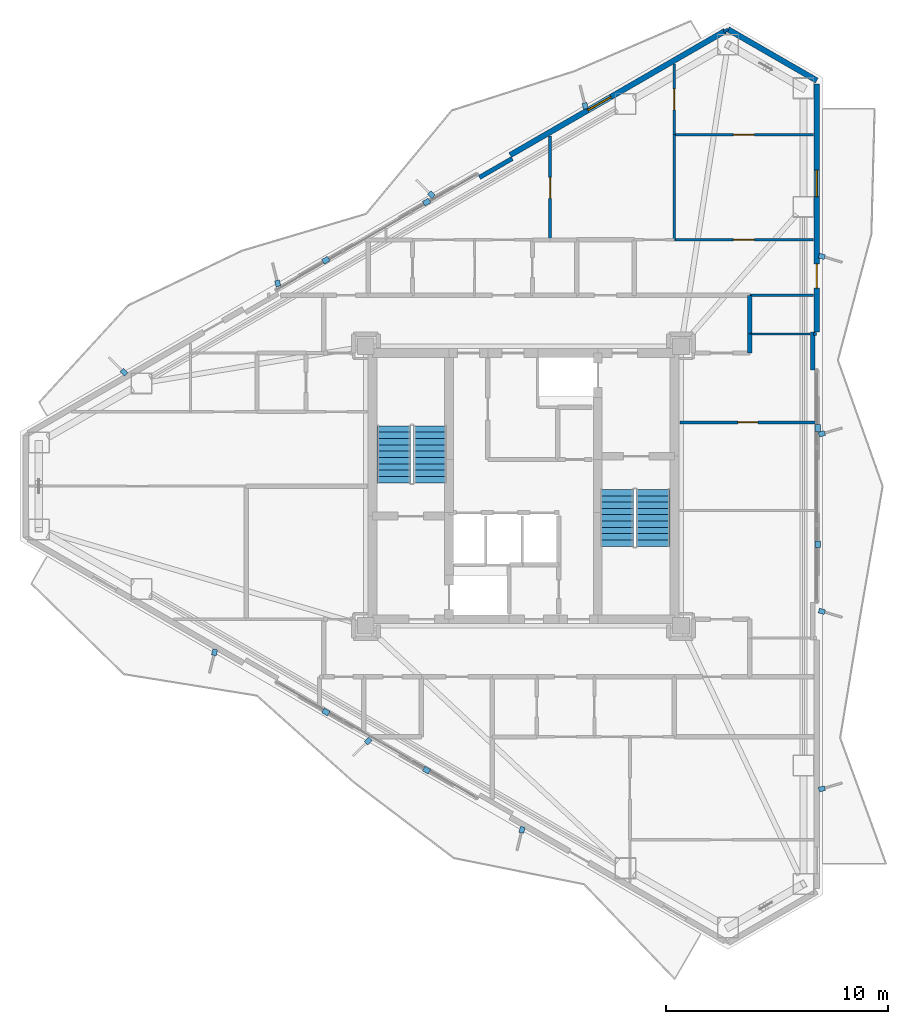
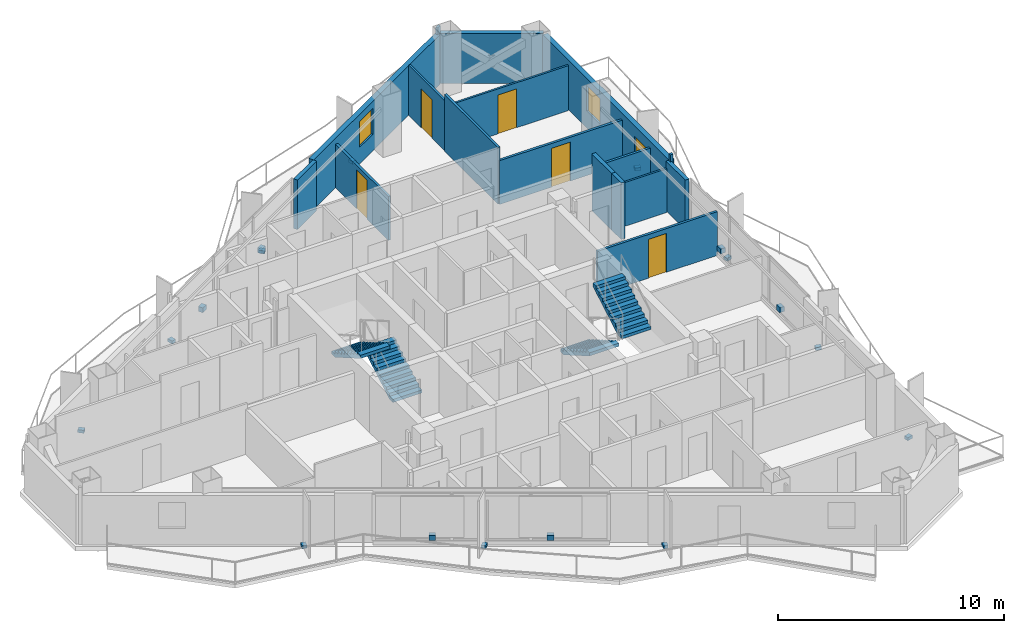
# One storey, part 16 of 18: 17 discrete accessories, 17 walls, 6 doors, 4 stair flights, 2 windows, 8 openings, 2 elements without a shape of their own.
"""IFC4 building model written with IfcOpenShell, lengths in metres."""

import ifcopenshell
import ifcopenshell.guid

model = None  # the IFC model being written
_history = None  # IfcOwnerHistory: only IFC2X3 demands one
_inside = {}  # id of a spatial element -> (the spatial element, [elements in it])
_under = {}  # id of a project, library or spatial element -> (it, [spatial elements below it])
_declared = {}  # id of a project -> (the project, [libraries it declares])
_typed = {}  # id of a type object -> (the type object, [elements of that type])
_made_of = {}  # id of a material, layer set ... -> (it, [elements and type objects made of it])


def new_model(schema):
    """Start an empty IFC model of exactly this schema.

    Asked for "IFC4X3", IfcOpenShell would pick the latest addendum, in which some entities
    have other attributes; the version numbers below select the first issue.
    IFC2X3 requires an IfcOwnerHistory on every rooted entity: one is made here for all.
    """
    global model, _history
    if schema == "IFC4X3":
        model = ifcopenshell.file(schema_version=(4, 3, 0, 0))
    else:
        model = ifcopenshell.file(schema=schema)
    _inside.clear()
    _under.clear()
    _declared.clear()
    _typed.clear()
    _made_of.clear()
    _history = None
    if model.schema == "IFC2X3":
        org = make("IfcOrganization", Name="unknown")
        user = make(
            "IfcPersonAndOrganization",
            ThePerson=make("IfcPerson", FamilyName="unknown"),
            TheOrganization=org,
        )
        app = make(
            "IfcApplication",
            ApplicationDeveloper=org,
            Version="unknown",
            ApplicationFullName="unknown",
            ApplicationIdentifier="unknown",
        )
        _history = make(
            "IfcOwnerHistory",
            OwningUser=user,
            OwningApplication=app,
            ChangeAction="ADDED",
            CreationDate=0,
        )
    return model


def make(cls, **values):
    """One entity of the class cls with the attributes given. An attribute that is None is left unset."""
    return model.create_entity(
        cls, **{name: value for name, value in values.items() if value is not None}
    )


def rooted(cls, **values):
    """An entity with a GlobalId (a new one), such as an element, a storey or a relation."""
    return make(cls, GlobalId=ifcopenshell.guid.new(), OwnerHistory=_history, **values)


def si_unit(unit_type, name, prefix=None):
    """IfcSIUnit, for example si_unit("LENGTHUNIT", "METRE", prefix="MILLI")."""
    return make("IfcSIUnit", UnitType=unit_type, Prefix=prefix, Name=name)


def assignment(units):
    """IfcUnitAssignment: the units of a project."""
    return None if units is None else make("IfcUnitAssignment", Units=units)


def point(xyz):
    """IfcCartesianPoint."""
    return None if xyz is None else make("IfcCartesianPoint", Coordinates=xyz)


def direction(xyz):
    """IfcDirection."""
    return None if xyz is None else make("IfcDirection", DirectionRatios=xyz)


def frame(location, z_axis=None, x_axis=None):
    """IfcAxis2Placement3D, a coordinate frame: its origin and axes. An axis left out is left unset."""
    return make(
        "IfcAxis2Placement3D",
        Location=point(location),
        Axis=direction(z_axis),
        RefDirection=direction(x_axis),
    )


def frame_2d(location, x_axis=None):
    """IfcAxis2Placement2D, a coordinate frame in the plane: its origin and x axis."""
    return make(
        "IfcAxis2Placement2D", Location=point(location), RefDirection=direction(x_axis)
    )


def origin():
    """The frame at (0, 0, 0) with its axes left unset."""
    return frame((0.0, 0.0, 0.0))


def origin_2d():
    """The frame at (0, 0) in the plane with its x axis left unset."""
    return frame_2d((0.0, 0.0))


def place(relative_to, where):
    """IfcLocalPlacement: puts the frame where relative to a parent placement (None: the world)."""
    return make(
        "IfcLocalPlacement", PlacementRelTo=relative_to, RelativePlacement=where
    )


def context(
    kind, dimensions, precision=None, world=None, true_north=None, identifier=None
):
    """IfcGeometricRepresentationContext, for example the 3D "Model" context."""
    return make(
        "IfcGeometricRepresentationContext",
        ContextIdentifier=identifier,
        ContextType=kind,
        CoordinateSpaceDimension=dimensions,
        Precision=precision,
        WorldCoordinateSystem=world,
        TrueNorth=true_north,
    )


def subcontext(parent, identifier, kind, view, scale=None):
    """IfcGeometricRepresentationSubContext, for example "Body" below "Model"."""
    return make(
        "IfcGeometricRepresentationSubContext",
        ContextIdentifier=identifier,
        ContextType=kind,
        ParentContext=parent,
        TargetScale=scale,
        TargetView=view,
    )


def project(units=None, contexts=None):
    """IfcProject with its units and contexts."""
    return rooted(
        "IfcProject",
        Name="project",
        RepresentationContexts=contexts,
        UnitsInContext=assignment(units),
    )


def spatial(cls, under=None, at=None, **own):
    """A site, building, storey or space (cls), placed at a placement, below another one or the project."""
    s = rooted(cls, ObjectPlacement=at, **own)
    if under is not None:
        _under.setdefault(under.id(), (under, []))[1].append(s)
    return s


def polyline(points):
    """IfcPolyline through the points."""
    return make("IfcPolyline", Points=[point(p) for p in points])


def profile(cls, at=None, kind="AREA", **sizes):
    """A parametric profile (cls). Its sizes go by their IFC names, for example OverallWidth=200.0."""
    return make(cls, ProfileType=kind, Position=at, **sizes)


def rectangle(**sizes):
    """IfcRectangleProfileDef."""
    return profile("IfcRectangleProfileDef", **sizes)


def outline(outer, holes=None, kind="AREA"):
    """IfcArbitraryClosedProfileDef: a profile drawn as a closed curve; with holes, ...WithVoids."""
    if holes is None:
        return make("IfcArbitraryClosedProfileDef", ProfileType=kind, OuterCurve=outer)
    return make(
        "IfcArbitraryProfileDefWithVoids",
        ProfileType=kind,
        OuterCurve=outer,
        InnerCurves=holes,
    )


def extrude(swept, where, along, depth):
    """IfcExtrudedAreaSolid: the profile swept, set in the frame where, extruded along a direction by depth."""
    return make(
        "IfcExtrudedAreaSolid",
        SweptArea=swept,
        Position=where,
        ExtrudedDirection=direction(along),
        Depth=depth,
    )


def shape(context_of_items, identifier, shape_type, items):
    """IfcShapeRepresentation: the items that make up one representation, for example the "Body"."""
    return make(
        "IfcShapeRepresentation",
        ContextOfItems=context_of_items,
        RepresentationIdentifier=identifier,
        RepresentationType=shape_type,
        Items=items,
    )


def material(Name=None, Category=None):
    """IfcMaterial."""
    return make("IfcMaterial", Name=Name, Category=Category)


def layer(
    of_material, thickness, ventilated=None, Name=None, Category=None, Priority=None
):
    """IfcMaterialLayer: one layer of a wall or slab, of a material (None: an air gap)."""
    return make(
        "IfcMaterialLayer",
        Material=of_material,
        LayerThickness=thickness,
        IsVentilated=ventilated,
        Name=Name,
        Category=Category,
        Priority=Priority,
    )


def layer_set(layers, Name=None):
    """IfcMaterialLayerSet."""
    return make("IfcMaterialLayerSet", MaterialLayers=layers, LayerSetName=Name)


def made_of(thing, what):
    """Note that an element or type object is made of a material, layer set ...; save() writes the relation."""
    if what is not None:
        _made_of.setdefault(what.id(), (what, []))[1].append(thing)
    return thing


def type_object(cls, material=None, **own):
    """A type object (cls), such as IfcWallType, which elements share."""
    return made_of(rooted(cls, **own), material)


def element(
    cls,
    number,
    at=None,
    inside=None,
    cuts=None,
    type_object=None,
    material=None,
    context=None,
    identifier="Body",
    shape_type=None,
    held_by="IfcProductDefinitionShape",
    body=None,
    shapes=None,
    **own,
):
    """One element of the class cls, such as IfcWall. Its Tag is "e" and its number.

    at: its placement. inside: the storey or other place that contains it. cuts: it is an
    opening in that element (IfcRelVoidsElement). A single representation is given by context,
    identifier, shape_type and body (its items); several are given by shapes. held_by: the class
    of the entity that holds the representations. save() writes the other relations.
    """
    e = rooted(cls, Tag="e%d" % number, ObjectPlacement=at, **own)
    if body is not None:
        shapes = [shape(context, identifier, shape_type, body)]
    if shapes is not None:
        e.Representation = make(held_by, Representations=shapes)
    if inside is not None:
        _inside.setdefault(inside.id(), (inside, []))[1].append(e)
    if cuts is not None:
        rooted(
            "IfcRelVoidsElement", RelatingBuildingElement=cuts, RelatedOpeningElement=e
        )
    if type_object is not None:
        _typed.setdefault(type_object.id(), (type_object, []))[1].append(e)
    return made_of(e, material)


def fill(opening, filler):
    """IfcRelFillsElement: the door or window that sits in an opening."""
    return rooted(
        "IfcRelFillsElement",
        RelatingOpeningElement=opening,
        RelatedBuildingElement=filler,
    )


def aggregate(whole, parts):
    """IfcRelAggregates: a whole, such as a stair, and the parts it consists of."""
    return rooted("IfcRelAggregates", RelatingObject=whole, RelatedObjects=parts)


def save(model, path):
    """Write the relations noted so far, then the file.

    IfcRelAggregates (storeys below a building ...), IfcRelContainedInSpatialStructure (elements
    in a storey), IfcRelDefinesByType, IfcRelAssociatesMaterial and IfcRelDeclares: one each for
    every whole, place, type object, material and project.
    """
    for whole, parts in _under.values():
        aggregate(whole, parts)
    for where, things in _inside.values():
        rooted(
            "IfcRelContainedInSpatialStructure",
            RelatedElements=things,
            RelatingStructure=where,
        )
    for kind, things in _typed.values():
        rooted("IfcRelDefinesByType", RelatedObjects=things, RelatingType=kind)
    for what, things in _made_of.values():
        rooted("IfcRelAssociatesMaterial", RelatedObjects=things, RelatingMaterial=what)
    for by, libraries in _declared.values():
        rooted("IfcRelDeclares", RelatingContext=by, RelatedDefinitions=libraries)
    model.write(path)


model = new_model("IFC4")

# Units and contexts
model_context = context("Model", 3, precision=1e-05, world=origin(), true_north=direction((0.0, 1.0)))
body_context = subcontext(model_context, "Body", "Model", "MODEL_VIEW")
ifc_project = project(units=[si_unit("LENGTHUNIT", "METRE"), si_unit("AREAUNIT", "SQUARE_METRE"), si_unit("VOLUMEUNIT", "CUBIC_METRE"), si_unit("PLANEANGLEUNIT", "RADIAN"), si_unit("MASSUNIT", "GRAM", prefix="KILO")], contexts=[model_context])

# Site, building, storey
site_placement = place(None, origin())
site = spatial("IfcSite", under=ifc_project, at=site_placement, CompositionType="ELEMENT")
building_placement = place(site_placement, origin())
building = spatial("IfcBuilding", under=site, at=building_placement, Name="Mersakhor Tower and Convention Hall", CompositionType="ELEMENT")
storey_placement = place(building_placement, frame((0.0, 0.0, 137.699951171875)))
storey = spatial("IfcBuildingStorey", under=building, at=storey_placement, Name="L38", CompositionType="ELEMENT", Elevation=137.699951171875)

# Wall
ifc_material_1 = material(Name="Precast concrete C40/50", Category="concrete")
ifc_layer_1 = layer(ifc_material_1, 0.25)
ifc_layer_set_1 = layer_set([ifc_layer_1], Name="Precast concrete C40/50")
wall_type_1 = type_object("IfcWallType", Name="WL-EXT-250", PredefinedType="SOLIDWALL", material=ifc_layer_set_1)
wall_1_placement = place(storey_placement, frame((38.220458984375, 47.337646484375, 0.0), z_axis=(0.0, 0.0, 1.0), x_axis=(0.866035021055, -0.499983342029, 0.0)))
element("IfcWall", 1, at=wall_1_placement, inside=storey, type_object=wall_type_1, Name="L38 Chamfer Braced Spandrel Wall C1", PredefinedType="SOLIDWALL", context=body_context, shape_type="SweptSolid", body=[
    extrude(rectangle(XDim=4.617431640625, YDim=0.25, at=frame_2d((2.30859375, 0.0))), origin(), (0.0, 0.0, 1.0), 2.679931640625),
])

# Wall, opening, window
wall_2_placement = place(storey_placement, frame((28.4033203125, 41.669677734375, 0.0), z_axis=(0.0, 0.0, 1.0), x_axis=(0.86602239209, 0.500005216371, 0.0)))
wall_2 = element("IfcWall", 2, at=wall_2_placement, inside=storey, type_object=wall_type_1, Name="L38 Exterior Facade Wall F1-B3", PredefinedType="SOLIDWALL", context=body_context, shape_type="SweptSolid", body=[
    extrude(rectangle(XDim=11.18603515625, YDim=0.25, at=frame_2d((5.593017578125, 0.0))), origin(), (0.0, 0.0, 1.0), 2.679931640625),
])
opening_1_placement = place(wall_2_placement, frame((4.0390625, 0.0, 0.89990234375)))
opening_1 = element("IfcOpeningElement", 3, at=opening_1_placement, cuts=wall_2, Name="Opening W-01", PredefinedType="OPENING", context=body_context, shape_type="SweptSolid", body=[
    extrude(rectangle(XDim=1.199951171875, YDim=1.39990234375, at=frame_2d((0.60009765625, 0.699951171875))), frame((0.0, 0.135009765625, 0.0), z_axis=(0.0, -1.0, 0.0), x_axis=(1.0, 0.0, 0.0)), (0.0, 0.0, 1.0), 0.27001953125),
])
ifc_material_2 = material(Name="Dark solar low-E glazed aluminium window", Category="aluminium")
window_type = type_object("IfcWindowType", Name="WN-RES-120x150", PartitioningType="SINGLE_PANEL", PredefinedType="WINDOW", material=ifc_material_2)
window_1_placement = place(opening_1_placement, origin())
window_1 = element("IfcWindow", 4, at=window_1_placement, inside=storey, type_object=window_type, Name="L38 Bedroom Facade Window F1-B3-1", OverallHeight=1.39990234375, OverallWidth=1.199951171875, PartitioningType="SINGLE_PANEL", PredefinedType="WINDOW", context=body_context, shape_type="SweptSolid", body=[
    extrude(rectangle(XDim=1.199951171875, YDim=1.39990234375, at=frame_2d((0.60009765625, 0.699951171875))), frame((0.0, 0.030029296875, 0.0), z_axis=(0.0, -1.0, 0.0), x_axis=(1.0, 0.0, 0.0)), (0.0, 0.0, 1.0), 0.06005859375),
])
fill(opening_1, window_1)

# Wall, openings, door, window
wall_3_placement = place(storey_placement, frame((42.21923828125, 44.87890625, 0.0), z_axis=(0.0, 0.0, 1.0), x_axis=(0.0, -1.0, 0.0)))
wall_3 = element("IfcWall", 5, at=wall_3_placement, inside=storey, type_object=wall_type_1, Name="L38 Exterior Facade Wall F2-B1", PredefinedType="SOLIDWALL", context=body_context, shape_type="SweptSolid", body=[
    extrude(rectangle(XDim=11.185791015625, YDim=0.25, at=frame_2d((5.5927734375, 0.0))), origin(), (0.0, 0.0, 1.0), 2.679931640625),
])
opening_2_placement = place(wall_3_placement, frame((8.10888671875, 0.0, 0.0)))
opening_2 = element("IfcOpeningElement", 6, at=opening_2_placement, cuts=wall_3, Name="Opening BD-02", PredefinedType="OPENING", context=body_context, shape_type="SweptSolid", body=[
    extrude(rectangle(XDim=1.10009765625, YDim=2.10009765625, at=frame_2d((0.550048828125, 1.050048828125))), frame((0.0, 0.135009765625, 0.0), z_axis=(0.0, -1.0, 0.0), x_axis=(1.0, 0.0, 0.0)), (0.0, 0.0, 1.0), 0.27001953125),
])
opening_3_placement = place(wall_3_placement, frame((3.885986328125, 0.0, 0.89990234375)))
opening_3 = element("IfcOpeningElement", 7, at=opening_3_placement, cuts=wall_3, Name="Opening W-01", PredefinedType="OPENING", context=body_context, shape_type="SweptSolid", body=[
    extrude(rectangle(XDim=1.199951171875, YDim=1.39990234375, at=frame_2d((0.60009765625, 0.699951171875))), frame((0.0, 0.135009765625, 0.0), z_axis=(0.0, -1.0, 0.0), x_axis=(1.0, 0.0, 0.0)), (0.0, 0.0, 1.0), 0.27001953125),
])
ifc_material_3 = material(Name="Thermally broken dark aluminium and safety glass", Category="aluminium")
door_type_1 = type_object("IfcDoorType", Name="DR-BAL-110x210", OperationType="NOTDEFINED", PredefinedType="DOOR", material=ifc_material_3)
door_1_placement = place(opening_2_placement, origin())
door_1 = element("IfcDoor", 8, at=door_1_placement, inside=storey, type_object=door_type_1, Name="L38 Balcony Terrace Door F2-B1", OperationType="SINGLE_SWING_RIGHT", OverallHeight=2.10009765625, OverallWidth=1.10009765625, PredefinedType="DOOR", context=body_context, shape_type="SweptSolid", body=[
    extrude(rectangle(XDim=1.10009765625, YDim=2.10009765625, at=frame_2d((0.550048828125, 1.050048828125))), frame((0.0, 0.02490234375, 0.0), z_axis=(0.0, -1.0, 0.0), x_axis=(1.0, 0.0, 0.0)), (0.0, 0.0, 1.0), 0.050048828125),
])
fill(opening_2, door_1)
window_2_placement = place(opening_3_placement, origin())
window_2 = element("IfcWindow", 9, at=window_2_placement, inside=storey, type_object=window_type, Name="L38 Bedroom Facade Window F2-B1-1", OverallHeight=1.39990234375, OverallWidth=1.199951171875, PartitioningType="SINGLE_PANEL", PredefinedType="WINDOW", context=body_context, shape_type="SweptSolid", body=[
    extrude(rectangle(XDim=1.199951171875, YDim=1.39990234375, at=frame_2d((0.60009765625, 0.699951171875))), frame((0.0, 0.030029296875, 0.0), z_axis=(0.0, -1.0, 0.0), x_axis=(1.0, 0.0, 0.0)), (0.0, 0.0, 1.0), 0.06005859375),
])
fill(opening_3, window_2)

# Walls
ifc_material_4 = material(Name="Precast concrete C40/50", Category="concrete")
ifc_layer_2 = layer(ifc_material_4, 0.199951171875)
ifc_layer_set_2 = layer_set([ifc_layer_2], Name="Precast concrete C40/50")
wall_type_2 = type_object("IfcWallType", Name="WL-PAR-200", PredefinedType="PARAPET", material=ifc_layer_set_2)
wall_4_placement = place(storey_placement, frame((27.02099609375, 40.663818359375, 0.0), z_axis=(0.0, 0.0, 1.0), x_axis=(0.86605165483, 0.499954529098, 0.0)))
element("IfcWall", 10, at=wall_4_placement, inside=storey, type_object=wall_type_2, Name="L38 Column Pier Cladding Wall F1-C2", PredefinedType="PARAPET", context=body_context, shape_type="SweptSolid", body=[
    extrude(rectangle(XDim=1.699951171875, YDim=0.199951171875, at=frame_2d((0.85009765625, 0.0))), origin(), (0.0, 0.0, 1.0), 2.679931640625),
])
wall_5_placement = place(storey_placement, frame((42.039306640625, 33.693115234375, 0.0), z_axis=(0.0, 0.0, 1.0), x_axis=(0.0, -1.0, 0.0)))
element("IfcWall", 11, at=wall_5_placement, inside=storey, type_object=wall_type_2, Name="L38 Column Pier Cladding Wall F2-C1", PredefinedType="PARAPET", context=body_context, shape_type="SweptSolid", body=[
    extrude(rectangle(XDim=1.7001953125, YDim=0.199951171875, at=frame_2d((0.85009765625, 0.0))), origin(), (0.0, 0.0, 1.0), 2.679931640625),
])
ifc_material_5 = material(Name="Lightweight gypsum partition", Category="other")
ifc_layer_3 = layer(ifc_material_5, 0.10009765625)
ifc_layer_set_3 = layer_set([ifc_layer_3], Name="Lightweight gypsum partition")
wall_type_3 = type_object("IfcWallType", Name="WL-PRT-100", PredefinedType="PARTITIONING", material=ifc_layer_set_3)
wall_6_placement = place(storey_placement, frame((39.199951171875, 33.60009765625, 0.0), z_axis=(0.0, 0.0, 1.0), x_axis=(1.0, 0.0, 0.0)))
element("IfcWall", 12, at=wall_6_placement, inside=storey, type_object=wall_type_3, Name="L38 Interior Partition Wall P-100", PredefinedType="PARTITIONING", context=body_context, shape_type="SweptSolid", body=[
    extrude(rectangle(XDim=2.71533203125, YDim=0.10009765625, at=frame_2d((1.357666015625, 0.0))), origin(), (0.0, 0.0, 1.0), 2.364990234375),
])

# Wall, opening, door
wall_7_placement = place(storey_placement, frame((35.800048828125, 45.76806640625, 0.0), z_axis=(0.0, 0.0, 1.0), x_axis=(0.0, -1.0, 0.0)))
wall_7 = element("IfcWall", 13, at=wall_7_placement, inside=storey, type_object=wall_type_3, Name="L38 Interior Partition Wall P-112", PredefinedType="PARTITIONING", context=body_context, shape_type="SweptSolid", body=[
    extrude(rectangle(XDim=3.177978515625, YDim=0.10009765625, at=frame_2d((1.5888671875, 0.0))), origin(), (0.0, 0.0, 1.0), 2.724609375),
])
opening_4_placement = place(wall_7_placement, frame((1.114013671875, 0.0, 0.0)))
opening_4 = element("IfcOpeningElement", 14, at=opening_4_placement, cuts=wall_7, Name="Opening RD-01", PredefinedType="OPENING", context=body_context, shape_type="SweptSolid", body=[
    extrude(rectangle(XDim=0.949951171875, YDim=2.10009765625, at=frame_2d((0.47509765625, 1.050048828125))), frame((0.0, 0.06005859375, 0.0), z_axis=(0.0, -1.0, 0.0), x_axis=(1.0, 0.0, 0.0)), (0.0, 0.0, 1.0), 0.1201171875),
])
ifc_material_6 = material(Name="Solid-core hardwood leaf in painted steel frame", Category="steel")
door_type_2 = type_object("IfcDoorType", Name="DR-INT-RM-095x210", OperationType="NOTDEFINED", PredefinedType="DOOR", material=ifc_material_6)
door_2_placement = place(opening_4_placement, origin())
door_2 = element("IfcDoor", 15, at=door_2_placement, inside=storey, type_object=door_type_2, Name="L38 L38 Flat N1 Master Bedroom to L38 Flat N1 Study Room Door", OperationType="SINGLE_SWING_LEFT", OverallHeight=2.10009765625, OverallWidth=0.949951171875, PredefinedType="DOOR", context=body_context, shape_type="SweptSolid", body=[
    extrude(rectangle(XDim=0.949951171875, YDim=2.10009765625, at=frame_2d((0.47509765625, 1.050048828125))), frame((0.0, 0.02490234375, 0.0), z_axis=(0.0, -1.0, 0.0), x_axis=(1.0, 0.0, 0.0)), (0.0, 0.0, 1.0), 0.050048828125),
])
fill(opening_4, door_2)

wall_8_placement = place(storey_placement, frame((35.800048828125, 42.590087890625, 0.0), z_axis=(0.0, 0.0, 1.0), x_axis=(1.0, 0.0, 0.0)))
wall_8 = element("IfcWall", 16, at=wall_8_placement, inside=storey, type_object=wall_type_3, Name="L38 Interior Partition Wall P-114", PredefinedType="PARTITIONING", context=body_context, shape_type="SweptSolid", body=[
    extrude(rectangle(XDim=6.270263671875, YDim=0.10009765625, at=frame_2d((3.13525390625, 0.0))), origin(), (0.0, 0.0, 1.0), 2.432861328125),
])
opening_5_placement = place(wall_8_placement, frame((2.66015625, 0.0, 0.0)))
opening_5 = element("IfcOpeningElement", 17, at=opening_5_placement, cuts=wall_8, Name="Opening RD-01", PredefinedType="OPENING", context=body_context, shape_type="SweptSolid", body=[
    extrude(rectangle(XDim=0.949951171875, YDim=2.10009765625, at=frame_2d((0.47509765625, 1.050048828125))), frame((0.0, 0.06005859375, 0.0), z_axis=(0.0, -1.0, 0.0), x_axis=(1.0, 0.0, 0.0)), (0.0, 0.0, 1.0), 0.1201171875),
])
door_3_placement = place(opening_5_placement, origin())
door_3 = element("IfcDoor", 18, at=door_3_placement, inside=storey, type_object=door_type_2, Name="L38 L38 Flat N1 Bedroom 2 to L38 Flat N1 Study Room Door", OperationType="SINGLE_SWING_RIGHT", OverallHeight=2.10009765625, OverallWidth=0.949951171875, PredefinedType="DOOR", context=body_context, shape_type="SweptSolid", body=[
    extrude(rectangle(XDim=0.949951171875, YDim=2.10009765625, at=frame_2d((0.47509765625, 1.050048828125))), frame((0.0, 0.02490234375, 0.0), z_axis=(0.0, -1.0, 0.0), x_axis=(1.0, 0.0, 0.0)), (0.0, 0.0, 1.0), 0.050048828125),
])
fill(opening_5, door_3)

ifc_material_7 = material(Name="Gypsum board acoustic partition", Category="other")
ifc_layer_4 = layer(ifc_material_7, 0.125)
ifc_layer_set_4 = layer_set([ifc_layer_4], Name="Gypsum board acoustic partition")
wall_type_4 = type_object("IfcWallType", Name="WL-PRT-125", PredefinedType="PARTITIONING", material=ifc_layer_set_4)
wall_9_placement = place(storey_placement, frame((36.050048828125, 29.6201171875, 0.0), z_axis=(0.0, 0.0, 1.0), x_axis=(1.0, 0.0, 0.0)))
wall_9 = element("IfcWall", 19, at=wall_9_placement, inside=storey, type_object=wall_type_4, Name="L38 Interior Partition Wall P-097", PredefinedType="PARTITIONING", context=body_context, shape_type="SweptSolid", body=[
    extrude(rectangle(XDim=6.131103515625, YDim=0.125, at=frame_2d((3.0654296875, 0.0))), origin(), (0.0, 0.0, 1.0), 2.364990234375),
])
opening_6_placement = place(wall_9_placement, frame((2.615478515625, 0.0, 0.0)))
opening_6 = element("IfcOpeningElement", 20, at=opening_6_placement, cuts=wall_9, Name="Opening WD-01", PredefinedType="OPENING", context=body_context, shape_type="SweptSolid", body=[
    extrude(rectangle(XDim=0.89990234375, YDim=2.10009765625, at=frame_2d((0.449951171875, 1.050048828125))), frame((0.0, 0.072509765625, 0.0), z_axis=(0.0, -1.0, 0.0), x_axis=(1.0, 0.0, 0.0)), (0.0, 0.0, 1.0), 0.14501953125),
])
ifc_material_8 = material(Name="Solid-core hardwood leaf in painted steel frame", Category="steel")
door_type_3 = type_object("IfcDoorType", Name="DR-INT-WET-090x210", OperationType="NOTDEFINED", PredefinedType="DOOR", material=ifc_material_8)
door_4_placement = place(opening_6_placement, origin())
door_4 = element("IfcDoor", 21, at=door_4_placement, inside=storey, type_object=door_type_3, Name="L38 L38 East Wing Sky Study Room to L38 East Wing Sky Study Room Annex Door", OperationType="SINGLE_SWING_RIGHT", OverallHeight=2.10009765625, OverallWidth=0.89990234375, PredefinedType="DOOR", context=body_context, shape_type="SweptSolid", body=[
    extrude(rectangle(XDim=0.89990234375, YDim=2.10009765625, at=frame_2d((0.449951171875, 1.050048828125))), frame((0.0, 0.02490234375, 0.0), z_axis=(0.0, -1.0, 0.0), x_axis=(1.0, 0.0, 0.0)), (0.0, 0.0, 1.0), 0.050048828125),
])
fill(opening_6, door_4)

# Walls
wall_10_placement = place(storey_placement, frame((42.07421875, 33.60009765625, 0.0), z_axis=(0.0, 0.0, 1.0), x_axis=(1.0, 0.0, 0.0)))
element("IfcWall", 22, at=wall_10_placement, inside=storey, type_object=wall_type_4, Name="L38 Interior Partition Wall P-101", PredefinedType="PARTITIONING", context=body_context, shape_type="SweptSolid", body=[
    extrude(rectangle(XDim=0.144775390625, YDim=0.125, at=frame_2d((0.072265625, 0.0))), origin(), (0.0, 0.0, 1.0), 3.06005859375),
])
wall_11_placement = place(storey_placement, frame((42.0703125, 35.35009765625, 0.0), z_axis=(0.0, 0.0, 1.0), x_axis=(-1.0, 0.0, 0.0)))
element("IfcWall", 23, at=wall_11_placement, inside=storey, type_object=wall_type_4, Name="L38 Interior Partition Wall P-107", PredefinedType="PARTITIONING", context=body_context, shape_type="SweptSolid", body=[
    extrude(rectangle(XDim=2.870361328125, YDim=0.125, at=frame_2d((1.43505859375, 0.0))), origin(), (0.0, 0.0, 1.0), 2.364990234375),
])

# Wall, opening, door
wall_12_placement = place(storey_placement, frame((35.800048828125, 37.85009765625, 0.0), z_axis=(0.0, 0.0, 1.0), x_axis=(1.0, 0.0, 0.0)))
wall_12 = element("IfcWall", 24, at=wall_12_placement, inside=storey, type_object=wall_type_4, Name="L38 Interior Partition Wall P-109", PredefinedType="PARTITIONING", context=body_context, shape_type="SweptSolid", body=[
    extrude(rectangle(XDim=6.270263671875, YDim=0.125, at=frame_2d((3.13525390625, 0.0))), origin(), (0.0, 0.0, 1.0), 2.364990234375),
])
opening_7_placement = place(wall_12_placement, frame((2.66015625, 0.0, 0.0)))
opening_7 = element("IfcOpeningElement", 25, at=opening_7_placement, cuts=wall_12, Name="Opening RD-01", PredefinedType="OPENING", context=body_context, shape_type="SweptSolid", body=[
    extrude(rectangle(XDim=0.949951171875, YDim=2.10009765625, at=frame_2d((0.47509765625, 1.050048828125))), frame((0.0, 0.072509765625, 0.0), z_axis=(0.0, -1.0, 0.0), x_axis=(1.0, 0.0, 0.0)), (0.0, 0.0, 1.0), 0.14501953125),
])
door_5_placement = place(opening_7_placement, origin())
door_5 = element("IfcDoor", 26, at=door_5_placement, inside=storey, type_object=door_type_2, Name="L38 L38 Flat N1 Study Room to L38 Flat N1 Bedroom 2 Door", OperationType="SINGLE_SWING_LEFT", OverallHeight=2.10009765625, OverallWidth=0.949951171875, PredefinedType="DOOR", context=body_context, shape_type="SweptSolid", body=[
    extrude(rectangle(XDim=0.949951171875, YDim=2.10009765625, at=frame_2d((0.47509765625, 1.050048828125))), frame((0.0, 0.02490234375, 0.0), z_axis=(0.0, -1.0, 0.0), x_axis=(1.0, 0.0, 0.0)), (0.0, 0.0, 1.0), 0.050048828125),
])
fill(opening_7, door_5)

wall_13_placement = place(storey_placement, frame((30.199951171875, 42.534912109375, 0.0), z_axis=(0.0, 0.0, 1.0), x_axis=(0.0, -1.0, 0.0)))
wall_13 = element("IfcWall", 27, at=wall_13_placement, inside=storey, type_object=wall_type_4, Name="L38 Interior Partition Wall P-111", PredefinedType="PARTITIONING", context=body_context, shape_type="SweptSolid", body=[
    extrude(rectangle(XDim=4.684814453125, YDim=0.125, at=frame_2d((2.34228515625, 0.0))), origin(), (0.0, 0.0, 1.0), 2.364990234375),
])
opening_8_placement = place(wall_13_placement, frame((1.867431640625, 0.0, 0.0)))
opening_8 = element("IfcOpeningElement", 28, at=opening_8_placement, cuts=wall_13, Name="Opening RD-01", PredefinedType="OPENING", context=body_context, shape_type="SweptSolid", body=[
    extrude(rectangle(XDim=0.949951171875, YDim=2.10009765625, at=frame_2d((0.47509765625, 1.050048828125))), frame((0.0, 0.072509765625, 0.0), z_axis=(0.0, -1.0, 0.0), x_axis=(1.0, 0.0, 0.0)), (0.0, 0.0, 1.0), 0.14501953125),
])
door_6_placement = place(opening_8_placement, origin())
door_6 = element("IfcDoor", 29, at=door_6_placement, inside=storey, type_object=door_type_2, Name="L38 L38 Flat N1 Living and Dining Room to L38 Flat N1 Master Bedroom Door", OperationType="SINGLE_SWING_RIGHT", OverallHeight=2.10009765625, OverallWidth=0.949951171875, PredefinedType="DOOR", context=body_context, shape_type="SweptSolid", body=[
    extrude(rectangle(XDim=0.949951171875, YDim=2.10009765625, at=frame_2d((0.47509765625, 1.050048828125))), frame((0.0, 0.02490234375, 0.0), z_axis=(0.0, -1.0, 0.0), x_axis=(1.0, 0.0, 0.0)), (0.0, 0.0, 1.0), 0.050048828125),
])
fill(opening_8, door_6)

# Walls
wall_14_placement = place(storey_placement, frame((35.800048828125, 42.590087890625, 0.0), z_axis=(0.0, 0.0, 1.0), x_axis=(0.0, -1.0, 0.0)))
element("IfcWall", 30, at=wall_14_placement, inside=storey, type_object=wall_type_4, Name="L38 Interior Partition Wall P-113", PredefinedType="PARTITIONING", context=body_context, shape_type="SweptSolid", body=[
    extrude(rectangle(XDim=4.739990234375, YDim=0.125, at=frame_2d((2.3701171875, 0.0))), origin(), (0.0, 0.0, 1.0), 3.06005859375),
])
wall_15_placement = place(storey_placement, frame((38.0341796875, 47.22998046875, 0.0), z_axis=(0.0, 0.0, 1.0), x_axis=(0.865581379588, 0.500768285049, 0.0)))
element("IfcWall", 31, at=wall_15_placement, inside=storey, type_object=wall_type_4, Name="L38 Interior Partition Wall P-115", PredefinedType="PARTITIONING", context=body_context, shape_type="SweptSolid", body=[
    extrude(rectangle(XDim=0.215576171875, YDim=0.125, at=frame_2d((0.10791015625, 0.0))), origin(), (0.0, 0.0, 1.0), 3.06005859375),
])
ifc_material_9 = material(Name="Acoustic concrete blockwork and gypsum board", Category="masonry")
ifc_layer_5 = layer(ifc_material_9, 0.199951171875)
ifc_layer_set_5 = layer_set([ifc_layer_5], Name="Acoustic concrete blockwork and gypsum board")
wall_type_5 = type_object("IfcWallType", Name="WL-PRT-200", PredefinedType="PARTITIONING", material=ifc_layer_set_5)
wall_16_placement = place(storey_placement, frame((39.199951171875, 35.35009765625, 0.0), z_axis=(0.0, 0.0, 1.0), x_axis=(0.0, -1.0, 0.0)))
element("IfcWall", 32, at=wall_16_placement, inside=storey, type_object=wall_type_5, Name="L38 Interior Partition Wall P-029", PredefinedType="PARTITIONING", context=body_context, shape_type="SweptSolid", body=[
    extrude(rectangle(XDim=1.75, YDim=0.199951171875, at=frame_2d((0.875, 0.0))), origin(), (0.0, 0.0, 1.0), 3.06005859375),
])
wall_17_placement = place(storey_placement, frame((39.199951171875, 33.60009765625, 0.0), z_axis=(0.0, 0.0, 1.0), x_axis=(0.0, -1.0, 0.0)))
element("IfcWall", 33, at=wall_17_placement, inside=storey, type_object=wall_type_5, Name="L38 Interior Partition Wall P-030", PredefinedType="PARTITIONING", context=body_context, shape_type="SweptSolid", body=[
    extrude(rectangle(XDim=0.85009765625, YDim=0.199951171875, at=frame_2d((0.425048828125, 0.0))), origin(), (0.0, 0.0, 1.0), 3.06005859375),
])

# Stair, stair flights
ifc_material_10 = material(Name="Concrete C45/55", Category="concrete")
stair_type = type_object("IfcStairType", Name="ST-TWR-20R", PredefinedType="HALF_TURN_STAIR", material=ifc_material_10)
stair_1_placement = place(storey_placement, origin())
stair_1 = element("IfcStair", 34, at=stair_1_placement, inside=storey, type_object=stair_type, Name="L38 Tower Protected Exit Stair ST-1", PredefinedType="HALF_TURN_STAIR")
ifc_material_11 = material(Name="Concrete C45/55", Category="concrete")
stair_flight_type = type_object("IfcStairFlightType", Name="SFL-TWR-20R", PredefinedType="STRAIGHT", material=ifc_material_11)
stair_flight_1_placement = place(storey_placement, frame((24.800048828125, 26.89990234375, 0.0), z_axis=(0.0, 0.0, 1.0), x_axis=(0.0, 1.0, 0.0)))
stair_flight_1 = element("IfcStairFlight", 35, at=stair_flight_1_placement, type_object=stair_flight_type, Name="ST-1 flight 1", NumberOfRisers=10, NumberOfTreads=9, PredefinedType="STRAIGHT", RiserHeight=0.165, TreadLength=0.285, context=body_context, shape_type="SweptSolid", body=[
    extrude(outline(polyline([(0.0, 0.0), (0.0, 0.1650390625), (0.284912109375, 0.1650390625), (0.284912109375, 0.330078125), (0.570068359375, 0.330078125), (0.570068359375, 0.4951171875), (0.85498046875, 0.4951171875), (0.85498046875, 0.659912109375), (1.139892578125, 0.659912109375), (1.139892578125, 0.824951171875), (1.425048828125, 0.824951171875), (1.425048828125, 0.989990234375), (1.7099609375, 0.989990234375), (1.7099609375, 1.155029296875), (1.9951171875, 1.155029296875), (1.9951171875, 1.320068359375), (2.280029296875, 1.320068359375), (2.280029296875, 1.485107421875), (2.56494140625, 1.485107421875), (2.56494140625, 1.64990234375), (2.56494140625, 1.311767578125), (0.299072265625, 0.0), (0.0, 0.0)])), frame((0.0, 0.75, 0.0), z_axis=(0.0, -1.0, 0.0), x_axis=(1.0, 0.0, 0.0)), (0.0, 0.0, 1.0), 1.5),
])
stair_flight_2_placement = place(storey_placement, frame((23.14990234375, 29.465087890625, 1.650146484375), z_axis=(0.0, 0.0, 1.0), x_axis=(0.0, -1.0, 0.0)))
stair_flight_2 = element("IfcStairFlight", 36, at=stair_flight_2_placement, type_object=stair_flight_type, Name="ST-1 flight 2", NumberOfRisers=10, NumberOfTreads=9, PredefinedType="STRAIGHT", RiserHeight=0.165, TreadLength=0.285, context=body_context, shape_type="SweptSolid", body=[
    extrude(outline(polyline([(0.0, 0.0), (0.0, 0.1650390625), (0.284912109375, 0.1650390625), (0.284912109375, 0.330078125), (0.570068359375, 0.330078125), (0.570068359375, 0.4951171875), (0.85498046875, 0.4951171875), (0.85498046875, 0.659912109375), (1.139892578125, 0.659912109375), (1.139892578125, 0.824951171875), (1.425048828125, 0.824951171875), (1.425048828125, 0.989990234375), (1.7099609375, 0.989990234375), (1.7099609375, 1.155029296875), (1.9951171875, 1.155029296875), (1.9951171875, 1.320068359375), (2.280029296875, 1.320068359375), (2.280029296875, 1.485107421875), (2.56494140625, 1.485107421875), (2.56494140625, 1.64990234375), (2.56494140625, 1.311767578125), (0.299072265625, 0.0), (0.0, 0.0)])), frame((0.0, 0.75, 0.0), z_axis=(0.0, -1.0, 0.0), x_axis=(1.0, 0.0, 0.0)), (0.0, 0.0, 1.0), 1.5),
])
aggregate(stair_1, [stair_flight_1, stair_flight_2])

stair_2_placement = place(storey_placement, origin())
stair_2 = element("IfcStair", 37, at=stair_2_placement, inside=storey, type_object=stair_type, Name="L38 Tower Protected Exit Stair ST-2", PredefinedType="HALF_TURN_STAIR")
stair_flight_3_placement = place(storey_placement, frame((33.199951171875, 26.60009765625, 0.0), z_axis=(0.0, 0.0, 1.0), x_axis=(0.0, -1.0, 0.0)))
stair_flight_3 = element("IfcStairFlight", 38, at=stair_flight_3_placement, type_object=stair_flight_type, Name="ST-2 flight 1", NumberOfRisers=10, NumberOfTreads=9, PredefinedType="STRAIGHT", RiserHeight=0.165, TreadLength=0.285, context=body_context, shape_type="SweptSolid", body=[
    extrude(outline(polyline([(0.0, 0.0), (0.0, 0.1650390625), (0.284912109375, 0.1650390625), (0.284912109375, 0.330078125), (0.570068359375, 0.330078125), (0.570068359375, 0.4951171875), (0.85498046875, 0.4951171875), (0.85498046875, 0.659912109375), (1.139892578125, 0.659912109375), (1.139892578125, 0.824951171875), (1.425048828125, 0.824951171875), (1.425048828125, 0.989990234375), (1.7099609375, 0.989990234375), (1.7099609375, 1.155029296875), (1.9951171875, 1.155029296875), (1.9951171875, 1.320068359375), (2.280029296875, 1.320068359375), (2.280029296875, 1.485107421875), (2.56494140625, 1.485107421875), (2.56494140625, 1.64990234375), (2.56494140625, 1.311767578125), (0.299072265625, 0.0), (0.0, 0.0)])), frame((0.0, 0.75, 0.0), z_axis=(0.0, -1.0, 0.0), x_axis=(1.0, 0.0, 0.0)), (0.0, 0.0, 1.0), 1.5),
])
stair_flight_4_placement = place(storey_placement, frame((34.85009765625, 24.034912109375, 1.650146484375), z_axis=(0.0, 0.0, 1.0), x_axis=(0.0, 1.0, 0.0)))
stair_flight_4 = element("IfcStairFlight", 39, at=stair_flight_4_placement, type_object=stair_flight_type, Name="ST-2 flight 2", NumberOfRisers=10, NumberOfTreads=9, PredefinedType="STRAIGHT", RiserHeight=0.165, TreadLength=0.285, context=body_context, shape_type="SweptSolid", body=[
    extrude(outline(polyline([(0.0, 0.0), (0.0, 0.1650390625), (0.284912109375, 0.1650390625), (0.284912109375, 0.330078125), (0.570068359375, 0.330078125), (0.570068359375, 0.4951171875), (0.85498046875, 0.4951171875), (0.85498046875, 0.659912109375), (1.139892578125, 0.659912109375), (1.139892578125, 0.824951171875), (1.425048828125, 0.824951171875), (1.425048828125, 0.989990234375), (1.7099609375, 0.989990234375), (1.7099609375, 1.155029296875), (1.9951171875, 1.155029296875), (1.9951171875, 1.320068359375), (2.280029296875, 1.320068359375), (2.280029296875, 1.485107421875), (2.56494140625, 1.485107421875), (2.56494140625, 1.64990234375), (2.56494140625, 1.311767578125), (0.299072265625, 0.0), (0.0, 0.0)])), frame((0.0, 0.75, 0.0), z_axis=(0.0, -1.0, 0.0), x_axis=(1.0, 0.0, 0.0)), (0.0, 0.0, 1.0), 1.5),
])
aggregate(stair_2, [stair_flight_3, stair_flight_4])

# Discrete accessories
ifc_material_12 = material(Name="Galvanised steel bracket", Category="steel")
ifc_layer_6 = layer(ifc_material_12, 0.02001953125)
ifc_layer_set_6 = layer_set([ifc_layer_6], Name="Galvanised steel bracket")
discrete_accessory_type = type_object("IfcDiscreteAccessoryType", Name="ACC-BRK-STL", PredefinedType="BRACKET", material=ifc_layer_set_6)
for number, where, z_axis, x_axis, name in (
    (40, (20.09521484375, 36.9306640625, 0.2900390625), (0.0, 0.0, 1.0), (0.866025403784, 0.5, 0.0), "L38 Solar Screen Outrigger Bracket BRK-1-1"),
    (41, (24.6357421875, 39.55224609375, 0.2900390625), (0.0, 0.0, 1.0), (0.866025403784, 0.5, 0.0), "L38 Solar Screen Outrigger Bracket BRK-1-2"),
):
    element("IfcDiscreteAccessory", number, at=place(storey_placement, frame(where, z_axis=z_axis, x_axis=x_axis)), inside=storey, type_object=discrete_accessory_type, Name=name, PredefinedType="BRACKET", context=body_context, shape_type="SweptSolid", body=[
        extrude(rectangle(XDim=0.300048828125, YDim=0.239990234375, at=origin_2d()), origin(), (0.0, 0.0, 1.0), 0.260009765625),
    ])
for number, where, z_axis, x_axis, name in (
    (42, (10.996826171875, 31.8857421875, -0.02001953125), (0.0, 0.0, 1.0), (-0.719339800339, 0.694658370459, 0.0), "L38 Facade Fin Base Cleat Bracket FBRK-1-1"),
    (43, (17.925048828125, 35.8857421875, -0.02001953125), (0.0, 0.0, 1.0), (-0.2419218956, 0.970295726276, 0.0), "L38 Facade Fin Base Cleat Bracket FBRK-1-2"),
    (44, (24.853271484375, 39.8857421875, -0.02001953125), (0.0, 0.0, 1.0), (-0.719339800339, 0.694658370459, 0.0), "L38 Facade Fin Base Cleat Bracket FBRK-1-3"),
    (45, (31.781494140625, 43.885498046875, -0.02001953125), (0.0, 0.0, 1.0), (-0.2419218956, 0.970295726276, 0.0), "L38 Facade Fin Base Cleat Bracket FBRK-1-4"),
):
    element("IfcDiscreteAccessory", number, at=place(storey_placement, frame(where, z_axis=z_axis, x_axis=x_axis)), inside=storey, type_object=discrete_accessory_type, Name=name, PredefinedType="BRACKET", context=body_context, shape_type="SweptSolid", body=[
        extrude(rectangle(XDim=0.280029296875, YDim=0.219970703125, at=origin_2d()), origin(), (0.0, 0.0, 1.0), 0.159912109375),
    ])
for number, where, z_axis, x_axis, name in (
    (46, (42.269287109375, 29.37158203125, 0.2900390625), (0.0, 0.0, 1.0), (0.0, -1.0, 0.0), "L38 Solar Screen Outrigger Bracket BRK-2-1"),
    (47, (42.269287109375, 24.12841796875, 0.2900390625), (0.0, 0.0, 1.0), (0.0, -1.0, 0.0), "L38 Solar Screen Outrigger Bracket BRK-2-2"),
):
    element("IfcDiscreteAccessory", number, at=place(storey_placement, frame(where, z_axis=z_axis, x_axis=x_axis)), inside=storey, type_object=discrete_accessory_type, Name=name, PredefinedType="BRACKET", context=body_context, shape_type="SweptSolid", body=[
        extrude(rectangle(XDim=0.300048828125, YDim=0.239990234375, at=origin_2d()), origin(), (0.0, 0.0, 1.0), 0.260009765625),
    ])
for number, where, z_axis, x_axis, name in (
    (48, (42.44921875, 37.106689453125, -0.02001953125), (0.0, 0.0, 1.0), (0.961261695938, -0.275637355817, 0.0), "L38 Facade Fin Base Cleat Bracket FBRK-2-1"),
    (49, (42.44921875, 29.106689453125, -0.02001953125), (0.0, 0.0, 1.0), (0.961261695938, 0.275637355817, 0.0), "L38 Facade Fin Base Cleat Bracket FBRK-2-2"),
    (50, (42.44921875, 21.106689453125, -0.02001953125), (0.0, 0.0, 1.0), (0.961261695938, -0.275637355817, 0.0), "L38 Facade Fin Base Cleat Bracket FBRK-2-3"),
    (51, (42.44921875, 13.106689453125, -0.02001953125), (0.0, 0.0, 1.0), (0.961261695938, 0.275637355817, 0.0), "L38 Facade Fin Base Cleat Bracket FBRK-2-4"),
):
    element("IfcDiscreteAccessory", number, at=place(storey_placement, frame(where, z_axis=z_axis, x_axis=x_axis)), inside=storey, type_object=discrete_accessory_type, Name=name, PredefinedType="BRACKET", context=body_context, shape_type="SweptSolid", body=[
        extrude(rectangle(XDim=0.280029296875, YDim=0.219970703125, at=origin_2d()), origin(), (0.0, 0.0, 1.0), 0.159912109375),
    ])
for number, where, z_axis, x_axis, name in (
    (52, (24.6357421875, 13.94775390625, 0.2900390625), (0.0, 0.0, 1.0), (-0.866025403784, 0.5, 0.0), "L38 Solar Screen Outrigger Bracket BRK-3-1"),
    (53, (20.09521484375, 16.5693359375, 0.2900390625), (0.0, 0.0, 1.0), (-0.866025403784, 0.5, 0.0), "L38 Solar Screen Outrigger Bracket BRK-3-2"),
):
    element("IfcDiscreteAccessory", number, at=place(storey_placement, frame(where, z_axis=z_axis, x_axis=x_axis)), inside=storey, type_object=discrete_accessory_type, Name=name, PredefinedType="BRACKET", context=body_context, shape_type="SweptSolid", body=[
        extrude(rectangle(XDim=0.300048828125, YDim=0.239990234375, at=origin_2d()), origin(), (0.0, 0.0, 1.0), 0.260009765625),
    ])
for number, where, z_axis, x_axis, name in (
    (54, (28.935302734375, 11.2578125, -0.02001953125), (0.0, 0.0, 1.0), (-0.2419218956, -0.970295726276, 0.0), "L38 Facade Fin Base Cleat Bracket FBRK-3-1"),
    (55, (22.0068359375, 15.2578125, -0.02001953125), (0.0, 0.0, 1.0), (-0.719339800339, -0.694658370459, 0.0), "L38 Facade Fin Base Cleat Bracket FBRK-3-2"),
    (56, (15.07861328125, 19.2578125, -0.02001953125), (0.0, 0.0, 1.0), (-0.2419218956, -0.970295726276, 0.0), "L38 Facade Fin Base Cleat Bracket FBRK-3-3"),
):
    element("IfcDiscreteAccessory", number, at=place(storey_placement, frame(where, z_axis=z_axis, x_axis=x_axis)), inside=storey, type_object=discrete_accessory_type, Name=name, PredefinedType="BRACKET", context=body_context, shape_type="SweptSolid", body=[
        extrude(rectangle(XDim=0.280029296875, YDim=0.219970703125, at=origin_2d()), origin(), (0.0, 0.0, 1.0), 0.159912109375),
    ])

save(model, "model.ifc")
